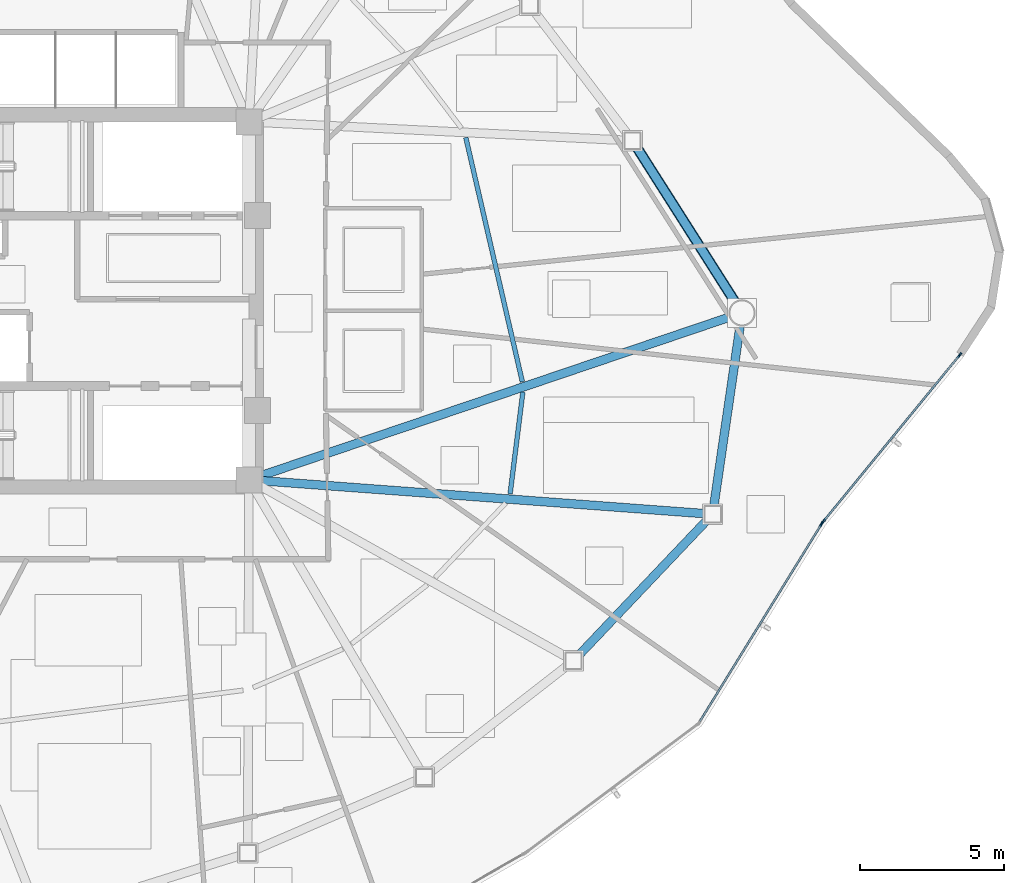
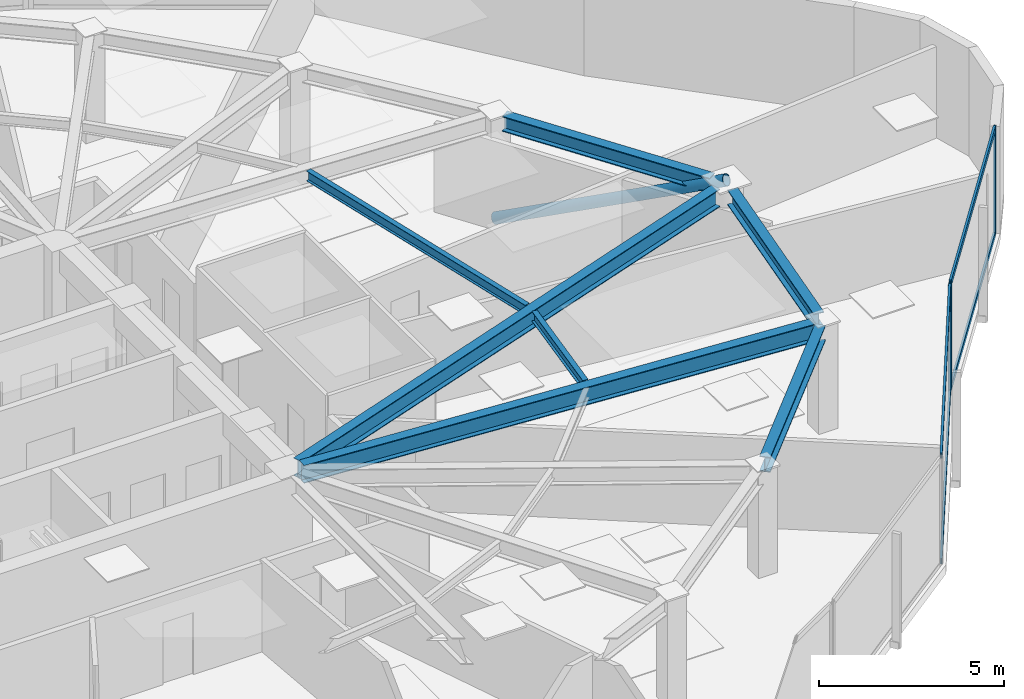
# One storey, part 6 of 18: 8 members, 7 beams, 2 elements without a shape of their own.
"""IFC4 building model written with IfcOpenShell, lengths in metres."""

import ifcopenshell
import ifcopenshell.guid

model = None  # the IFC model being written
_history = None  # IfcOwnerHistory: only IFC2X3 demands one
_inside = {}  # id of a spatial element -> (the spatial element, [elements in it])
_under = {}  # id of a project, library or spatial element -> (it, [spatial elements below it])
_declared = {}  # id of a project -> (the project, [libraries it declares])
_typed = {}  # id of a type object -> (the type object, [elements of that type])
_made_of = {}  # id of a material, layer set ... -> (it, [elements and type objects made of it])


def new_model(schema):
    """Start an empty IFC model of exactly this schema.

    Asked for "IFC4X3", IfcOpenShell would pick the latest addendum, in which some entities
    have other attributes; the version numbers below select the first issue.
    IFC2X3 requires an IfcOwnerHistory on every rooted entity: one is made here for all.
    """
    global model, _history
    if schema == "IFC4X3":
        model = ifcopenshell.file(schema_version=(4, 3, 0, 0))
    else:
        model = ifcopenshell.file(schema=schema)
    _inside.clear()
    _under.clear()
    _declared.clear()
    _typed.clear()
    _made_of.clear()
    _history = None
    if model.schema == "IFC2X3":
        org = make("IfcOrganization", Name="unknown")
        user = make(
            "IfcPersonAndOrganization",
            ThePerson=make("IfcPerson", FamilyName="unknown"),
            TheOrganization=org,
        )
        app = make(
            "IfcApplication",
            ApplicationDeveloper=org,
            Version="unknown",
            ApplicationFullName="unknown",
            ApplicationIdentifier="unknown",
        )
        _history = make(
            "IfcOwnerHistory",
            OwningUser=user,
            OwningApplication=app,
            ChangeAction="ADDED",
            CreationDate=0,
        )
    return model


def make(cls, **values):
    """One entity of the class cls with the attributes given. An attribute that is None is left unset."""
    return model.create_entity(
        cls, **{name: value for name, value in values.items() if value is not None}
    )


def rooted(cls, **values):
    """An entity with a GlobalId (a new one), such as an element, a storey or a relation."""
    return make(cls, GlobalId=ifcopenshell.guid.new(), OwnerHistory=_history, **values)


def si_unit(unit_type, name, prefix=None):
    """IfcSIUnit, for example si_unit("LENGTHUNIT", "METRE", prefix="MILLI")."""
    return make("IfcSIUnit", UnitType=unit_type, Prefix=prefix, Name=name)


def assignment(units):
    """IfcUnitAssignment: the units of a project."""
    return None if units is None else make("IfcUnitAssignment", Units=units)


def point(xyz):
    """IfcCartesianPoint."""
    return None if xyz is None else make("IfcCartesianPoint", Coordinates=xyz)


def direction(xyz):
    """IfcDirection."""
    return None if xyz is None else make("IfcDirection", DirectionRatios=xyz)


def frame(location, z_axis=None, x_axis=None):
    """IfcAxis2Placement3D, a coordinate frame: its origin and axes. An axis left out is left unset."""
    return make(
        "IfcAxis2Placement3D",
        Location=point(location),
        Axis=direction(z_axis),
        RefDirection=direction(x_axis),
    )


def frame_2d(location, x_axis=None):
    """IfcAxis2Placement2D, a coordinate frame in the plane: its origin and x axis."""
    return make(
        "IfcAxis2Placement2D", Location=point(location), RefDirection=direction(x_axis)
    )


def origin():
    """The frame at (0, 0, 0) with its axes left unset."""
    return frame((0.0, 0.0, 0.0))


def origin_2d():
    """The frame at (0, 0) in the plane with its x axis left unset."""
    return frame_2d((0.0, 0.0))


def place(relative_to, where):
    """IfcLocalPlacement: puts the frame where relative to a parent placement (None: the world)."""
    return make(
        "IfcLocalPlacement", PlacementRelTo=relative_to, RelativePlacement=where
    )


def context(
    kind, dimensions, precision=None, world=None, true_north=None, identifier=None
):
    """IfcGeometricRepresentationContext, for example the 3D "Model" context."""
    return make(
        "IfcGeometricRepresentationContext",
        ContextIdentifier=identifier,
        ContextType=kind,
        CoordinateSpaceDimension=dimensions,
        Precision=precision,
        WorldCoordinateSystem=world,
        TrueNorth=true_north,
    )


def subcontext(parent, identifier, kind, view, scale=None):
    """IfcGeometricRepresentationSubContext, for example "Body" below "Model"."""
    return make(
        "IfcGeometricRepresentationSubContext",
        ContextIdentifier=identifier,
        ContextType=kind,
        ParentContext=parent,
        TargetScale=scale,
        TargetView=view,
    )


def project(units=None, contexts=None):
    """IfcProject with its units and contexts."""
    return rooted(
        "IfcProject",
        Name="project",
        RepresentationContexts=contexts,
        UnitsInContext=assignment(units),
    )


def spatial(cls, under=None, at=None, **own):
    """A site, building, storey or space (cls), placed at a placement, below another one or the project."""
    s = rooted(cls, ObjectPlacement=at, **own)
    if under is not None:
        _under.setdefault(under.id(), (under, []))[1].append(s)
    return s


def profile(cls, at=None, kind="AREA", **sizes):
    """A parametric profile (cls). Its sizes go by their IFC names, for example OverallWidth=200.0."""
    return make(cls, ProfileType=kind, Position=at, **sizes)


def hollow_rectangle(**sizes):
    """IfcRectangleHollowProfileDef."""
    return profile("IfcRectangleHollowProfileDef", **sizes)


def hollow_circle(**sizes):
    """IfcCircleHollowProfileDef."""
    return profile("IfcCircleHollowProfileDef", **sizes)


def i_section(**sizes):
    """IfcIShapeProfileDef."""
    return profile("IfcIShapeProfileDef", **sizes)


def extrude(swept, where, along, depth):
    """IfcExtrudedAreaSolid: the profile swept, set in the frame where, extruded along a direction by depth."""
    return make(
        "IfcExtrudedAreaSolid",
        SweptArea=swept,
        Position=where,
        ExtrudedDirection=direction(along),
        Depth=depth,
    )


def shape(context_of_items, identifier, shape_type, items):
    """IfcShapeRepresentation: the items that make up one representation, for example the "Body"."""
    return make(
        "IfcShapeRepresentation",
        ContextOfItems=context_of_items,
        RepresentationIdentifier=identifier,
        RepresentationType=shape_type,
        Items=items,
    )


def source(mapping_origin, context_of_items, identifier, shape_type, items):
    """IfcRepresentationMap: a shape defined once, which mapped items show again and again."""
    return make(
        "IfcRepresentationMap",
        MappingOrigin=mapping_origin,
        MappedRepresentation=shape(context_of_items, identifier, shape_type, items),
    )


def transform(
    local_origin,
    x_axis=None,
    y_axis=None,
    z_axis=None,
    scale=None,
    scale2=None,
    scale3=None,
    uniform=True,
):
    """IfcCartesianTransformationOperator3D, or its non-uniform kind. x_axis, y_axis, z_axis: its Axis1, 2, 3."""
    if uniform:
        return make(
            "IfcCartesianTransformationOperator3D",
            Axis1=direction(x_axis),
            Axis2=direction(y_axis),
            LocalOrigin=point(local_origin),
            Scale=scale,
            Axis3=direction(z_axis),
        )
    return make(
        "IfcCartesianTransformationOperator3DnonUniform",
        Axis1=direction(x_axis),
        Axis2=direction(y_axis),
        LocalOrigin=point(local_origin),
        Scale=scale,
        Axis3=direction(z_axis),
        Scale2=scale2,
        Scale3=scale3,
    )


def mapped(mapping_source, mapping_target):
    """IfcMappedItem: shows the shape of a source again, moved by a transform."""
    return make(
        "IfcMappedItem", MappingSource=mapping_source, MappingTarget=mapping_target
    )


def material(Name=None, Category=None):
    """IfcMaterial."""
    return make("IfcMaterial", Name=Name, Category=Category)


def layer(
    of_material, thickness, ventilated=None, Name=None, Category=None, Priority=None
):
    """IfcMaterialLayer: one layer of a wall or slab, of a material (None: an air gap)."""
    return make(
        "IfcMaterialLayer",
        Material=of_material,
        LayerThickness=thickness,
        IsVentilated=ventilated,
        Name=Name,
        Category=Category,
        Priority=Priority,
    )


def layer_set(layers, Name=None):
    """IfcMaterialLayerSet."""
    return make("IfcMaterialLayerSet", MaterialLayers=layers, LayerSetName=Name)


def material_profile(
    of_material, cross_section, Name=None, Category=None, Priority=None
):
    """IfcMaterialProfile: a cross section and its material."""
    return make(
        "IfcMaterialProfile",
        Name=Name,
        Material=of_material,
        Profile=cross_section,
        Priority=Priority,
        Category=Category,
    )


def profile_set(profiles, Name=None, composite=None):
    """IfcMaterialProfileSet."""
    return make(
        "IfcMaterialProfileSet",
        Name=Name,
        MaterialProfiles=profiles,
        CompositeProfile=composite,
    )


def made_of(thing, what):
    """Note that an element or type object is made of a material, layer set ...; save() writes the relation."""
    if what is not None:
        _made_of.setdefault(what.id(), (what, []))[1].append(thing)
    return thing


def type_object(cls, material=None, **own):
    """A type object (cls), such as IfcWallType, which elements share."""
    return made_of(rooted(cls, **own), material)


def type_shapes(of_type, sources):
    """Give a type object the sources (RepresentationMaps) that its elements show as mapped items."""
    of_type.RepresentationMaps = sources


def element(
    cls,
    number,
    at=None,
    inside=None,
    cuts=None,
    type_object=None,
    material=None,
    context=None,
    identifier="Body",
    shape_type=None,
    held_by="IfcProductDefinitionShape",
    body=None,
    shapes=None,
    **own,
):
    """One element of the class cls, such as IfcWall. Its Tag is "e" and its number.

    at: its placement. inside: the storey or other place that contains it. cuts: it is an
    opening in that element (IfcRelVoidsElement). A single representation is given by context,
    identifier, shape_type and body (its items); several are given by shapes. held_by: the class
    of the entity that holds the representations. save() writes the other relations.
    """
    e = rooted(cls, Tag="e%d" % number, ObjectPlacement=at, **own)
    if body is not None:
        shapes = [shape(context, identifier, shape_type, body)]
    if shapes is not None:
        e.Representation = make(held_by, Representations=shapes)
    if inside is not None:
        _inside.setdefault(inside.id(), (inside, []))[1].append(e)
    if cuts is not None:
        rooted(
            "IfcRelVoidsElement", RelatingBuildingElement=cuts, RelatedOpeningElement=e
        )
    if type_object is not None:
        _typed.setdefault(type_object.id(), (type_object, []))[1].append(e)
    return made_of(e, material)


def aggregate(whole, parts):
    """IfcRelAggregates: a whole, such as a stair, and the parts it consists of."""
    return rooted("IfcRelAggregates", RelatingObject=whole, RelatedObjects=parts)


def save(model, path):
    """Write the relations noted so far, then the file.

    IfcRelAggregates (storeys below a building ...), IfcRelContainedInSpatialStructure (elements
    in a storey), IfcRelDefinesByType, IfcRelAssociatesMaterial and IfcRelDeclares: one each for
    every whole, place, type object, material and project.
    """
    for whole, parts in _under.values():
        aggregate(whole, parts)
    for where, things in _inside.values():
        rooted(
            "IfcRelContainedInSpatialStructure",
            RelatedElements=things,
            RelatingStructure=where,
        )
    for kind, things in _typed.values():
        rooted("IfcRelDefinesByType", RelatedObjects=things, RelatingType=kind)
    for what, things in _made_of.values():
        rooted("IfcRelAssociatesMaterial", RelatedObjects=things, RelatingMaterial=what)
    for by, libraries in _declared.values():
        rooted("IfcRelDeclares", RelatingContext=by, RelatedDefinitions=libraries)
    model.write(path)


model = new_model("IFC4")

# Units and contexts
model_context = context("Model", 3, precision=1e-05, world=origin(), true_north=direction((0.0, 1.0)))
body_context = subcontext(model_context, "Body", "Model", "MODEL_VIEW")
ifc_project = project(units=[si_unit("LENGTHUNIT", "METRE"), si_unit("AREAUNIT", "SQUARE_METRE"), si_unit("VOLUMEUNIT", "CUBIC_METRE"), si_unit("PLANEANGLEUNIT", "RADIAN"), si_unit("MASSUNIT", "GRAM", prefix="KILO")], contexts=[model_context])

# Site, building, storey
site_placement = place(None, origin())
site = spatial("IfcSite", under=ifc_project, at=site_placement, CompositionType="ELEMENT")
building_placement = place(site_placement, origin())
building = spatial("IfcBuilding", under=site, at=building_placement, Name="Tavelor Broadcast Tower", CompositionType="ELEMENT")
storey_placement = place(building_placement, frame((0.0, 0.0, 173.35009765625)))
storey = spatial("IfcBuildingStorey", under=building, at=storey_placement, Name="L41", CompositionType="ELEMENT", Elevation=173.35009765625)

# Beams
ifc_material_1 = material(Name="Steel S355", Category="steel")
ifc_material_profile_1 = material_profile(ifc_material_1, i_section(OverallWidth=0.159912109375, OverallDepth=0.330078125, WebThickness=0.007568359375, FlangeThickness=0.011474609375, at=origin_2d()), Name="IPE 330")
ifc_profile_set_1 = profile_set([ifc_material_profile_1], Name="Steel S355")
beam_type_1 = type_object("IfcBeamType", Name="Composite Floor Joist T4 IPE 330", PredefinedType="JOIST", material=ifc_profile_set_1)
beam_1_placement = place(storey_placement, frame((65.64453125, 38.3095703125, 3.385009765625), z_axis=(0.124499310057, 0.992219694319, 0.0), x_axis=(-0.992219694319, 0.124499310057, 0.0)))
element("IfcBeam", 1, at=beam_1_placement, inside=storey, type_object=beam_type_1, Name="L41 Secondary Composite Floor Joist 12", PredefinedType="JOIST", context=body_context, shape_type="SweptSolid", body=[
    extrude(i_section(OverallWidth=0.159912109375, OverallDepth=0.330078125, WebThickness=0.007568359375, FlangeThickness=0.011474609375, at=origin_2d()), origin(), (0.0, 0.0, 1.0), 3.55712890625),
])
beam_2_placement = place(storey_placement, frame((66.069091796875, 42.195068359375, 3.385009765625), z_axis=(-0.225617102792, 0.974216055569, 0.0), x_axis=(-0.974216055569, -0.225617102792, 0.0)))
element("IfcBeam", 2, at=beam_2_placement, inside=storey, type_object=beam_type_1, Name="L41 Secondary Composite Floor Joist 13", PredefinedType="JOIST", context=body_context, shape_type="SweptSolid", body=[
    extrude(i_section(OverallWidth=0.159912109375, OverallDepth=0.330078125, WebThickness=0.007568359375, FlangeThickness=0.011474609375, at=origin_2d()), origin(), (0.0, 0.0, 1.0), 8.683837890625),
])
ifc_material_profile_2 = material_profile(ifc_material_1, i_section(OverallWidth=0.300048828125, OverallDepth=0.5, WebThickness=0.014404296875, FlangeThickness=0.028076171875, at=origin_2d()), Name="HEB 500")
ifc_profile_set_2 = profile_set([ifc_material_profile_2], Name="Steel S355")
beam_type_2 = type_object("IfcBeamType", Name="Perimeter Spandrel Beam T4 HEB 500", PredefinedType="SPANDREL", material=ifc_profile_set_2)
beam_3_placement = place(storey_placement, frame((68.04052734375, 32.74072265625, 3.2998046875), z_axis=(0.688387662899, 0.725342970993, 0.0), x_axis=(-0.725342970993, 0.688387662899, 0.0)))
element("IfcBeam", 3, at=beam_3_placement, inside=storey, type_object=beam_type_2, Name="L41 Framed-Tube Ring Spandrel 11", PredefinedType="SPANDREL", context=body_context, shape_type="SweptSolid", body=[
    extrude(i_section(OverallWidth=0.300048828125, OverallDepth=0.5, WebThickness=0.014404296875, FlangeThickness=0.028076171875, at=origin_2d()), origin(), (0.0, 0.0, 1.0), 6.42138671875),
])
beam_4_placement = place(storey_placement, frame((72.700927734375, 37.892333984375, 3.2998046875), z_axis=(0.144298223799, 0.989534245293, 0.0), x_axis=(-0.989534245293, 0.144298223799, 0.0)))
element("IfcBeam", 4, at=beam_4_placement, inside=storey, type_object=beam_type_2, Name="L41 Framed-Tube Ring Spandrel 12", PredefinedType="SPANDREL", context=body_context, shape_type="SweptSolid", body=[
    extrude(i_section(OverallWidth=0.300048828125, OverallDepth=0.5, WebThickness=0.014404296875, FlangeThickness=0.028076171875, at=origin_2d()), origin(), (0.0, 0.0, 1.0), 6.3193359375),
])
beam_5_placement = place(storey_placement, frame((73.440673828125, 44.94970703125, 3.2998046875), z_axis=(-0.536287336864, 0.844035480486, 0.0), x_axis=(-0.844035480486, -0.536287336864, 0.0)))
element("IfcBeam", 5, at=beam_5_placement, inside=storey, type_object=beam_type_2, Name="L41 Framed-Tube Ring Spandrel 13", PredefinedType="SPANDREL", context=body_context, shape_type="SweptSolid", body=[
    extrude(i_section(OverallWidth=0.300048828125, OverallDepth=0.5, WebThickness=0.014404296875, FlangeThickness=0.028076171875, at=origin_2d()), origin(), (0.0, 0.0, 1.0), 6.340087890625),
])

# Member
ifc_material_profile_3 = material_profile(ifc_material_1, hollow_circle(Radius=0.177734375, WallThickness=0.01611328125, at=origin_2d()), Name="CHS 355.6x16")
ifc_profile_set_3 = profile_set([ifc_material_profile_3], Name="Steel S355")
member_type_1 = type_object("IfcMemberType", Name="Perimeter Tube Brace T4 CHS 355.6x16", PredefinedType="BRACE", material=ifc_profile_set_3)
member_1_placement = place(storey_placement, frame((69.885986328125, 50.544189453125, 0.0), z_axis=(0.479245396229, -0.754215683798, 0.448868079179), x_axis=(0.844021198089, 0.536309814544, 0.0)))
element("IfcMember", 6, at=member_1_placement, inside=storey, type_object=member_type_1, Name="L41 Corner Tube Diagonal Brace 3", PredefinedType="BRACE", context=body_context, shape_type="SweptSolid", body=[
    extrude(hollow_circle(Radius=0.177734375, WallThickness=0.01611328125, at=origin_2d()), origin(), (0.0, 0.0, 1.0), 7.908447265625),
])

# Beams
ifc_material_profile_4 = material_profile(ifc_material_1, i_section(OverallWidth=0.300048828125, OverallDepth=0.590087890625, WebThickness=0.012939453125, FlangeThickness=0.02490234375, at=origin_2d()), Name="HEA 600")
ifc_profile_set_4 = profile_set([ifc_material_profile_4], Name="Steel S355")
beam_type_3 = type_object("IfcBeamType", Name="Radial Floor Girder T4 HEA 600", PredefinedType="BEAM", material=ifc_profile_set_4)
beam_6_placement = place(storey_placement, frame((57.03076171875, 38.76806640625, 3.2548828125), z_axis=(0.997253315852, -0.074066348787, 0.0), x_axis=(0.074066348787, 0.997253315852, 0.0)))
element("IfcBeam", 7, at=beam_6_placement, inside=storey, type_object=beam_type_3, Name="L41 Radial Primary Floor Girder 12", PredefinedType="BEAM", context=body_context, shape_type="SweptSolid", body=[
    extrude(i_section(OverallWidth=0.300048828125, OverallDepth=0.590087890625, WebThickness=0.012939453125, FlangeThickness=0.02490234375, at=origin_2d()), origin(), (0.0, 0.0, 1.0), 15.383544921875),
])
beam_7_placement = place(storey_placement, frame((57.00927734375, 38.9384765625, 3.2548828125), z_axis=(0.947214639948, 0.320600102727, 0.0), x_axis=(-0.320600102727, 0.947214639948, 0.0)))
element("IfcBeam", 8, at=beam_7_placement, inside=storey, type_object=beam_type_3, Name="L41 Radial Primary Floor Girder 13", PredefinedType="BEAM", context=body_context, shape_type="SweptSolid", body=[
    extrude(i_section(OverallWidth=0.300048828125, OverallDepth=0.590087890625, WebThickness=0.012939453125, FlangeThickness=0.02490234375, at=origin_2d()), origin(), (0.0, 0.0, 1.0), 17.15673828125),
])

# Curtain wall, member
ifc_material_2 = material(Name="Architectural Anodized Aluminium", Category="aluminium")
ifc_layer = layer(ifc_material_2, 0.18994140625)
ifc_layer_set = layer_set([ifc_layer], Name="Architectural Anodized Aluminium")
curtain_wall_type = type_object("IfcCurtainWallType", Name="Tower Mid-Zone Acoustic Curtain Wall CW03", PredefinedType="NOTDEFINED", material=ifc_layer_set)
curtain_wall_1_placement = place(storey_placement, origin())
curtain_wall_1 = element("IfcCurtainWall", 9, at=curtain_wall_1_placement, inside=storey, type_object=curtain_wall_type, Name="L41 Curtain Wall CW03 Run 439", PredefinedType="NOTDEFINED")
ifc_material_profile_5 = material_profile(ifc_material_2, hollow_rectangle(XDim=0.068115234375, YDim=0.18994140625, WallThickness=0.02197265625, at=origin_2d()), Name="RHS 68x190x22")
ifc_profile_set_5 = profile_set([ifc_material_profile_5], Name="Architectural Anodized Aluminium")
member_type_2 = type_object("IfcMemberType", Name="CW03 Extruded Aluminium Mullion 68x190", PredefinedType="MULLION", material=ifc_profile_set_5)
shared_shape_1 = source(origin(), body_context, "Body", "SweptSolid", [
    extrude(hollow_rectangle(XDim=0.068115234375, YDim=0.18994140625, WallThickness=0.02197265625, at=origin_2d()), origin(), (0.0, 0.0, 1.0), 3.5498046875),
])
type_shapes(member_type_2, [shared_shape_1])
member_2_placement = place(storey_placement, frame((76.4345703125, 37.2734375, 0.0), z_axis=(0.0, 0.0, 1.0), x_axis=(-0.851219554803, 0.524809746023, 0.0)))
member_2 = element("IfcMember", 10, at=member_2_placement, type_object=member_type_2, Name="CW03 mullion 2", PredefinedType="MULLION", context=body_context, shape_type="MappedRepresentation", body=[
    mapped(shared_shape_1, transform((0.0, 0.0, 0.0), scale=1.0)),
])

# Curtain wall, members
curtain_wall_2_placement = place(storey_placement, origin())
curtain_wall_2 = element("IfcCurtainWall", 11, at=curtain_wall_2_placement, inside=storey, type_object=curtain_wall_type, Name="L41 Curtain Wall CW03 Run 440", PredefinedType="NOTDEFINED")
member_3_placement = place(storey_placement, frame((76.491455078125, 37.35302734375, 0.0), z_axis=(0.0, 0.0, 1.0), x_axis=(-0.773578233794, 0.633700809689, 0.0)))
member_3 = element("IfcMember", 12, at=member_3_placement, type_object=member_type_2, Name="CW03 mullion 1", PredefinedType="MULLION", context=body_context, shape_type="MappedRepresentation", body=[
    mapped(shared_shape_1, transform((0.0, 0.0, 0.0), scale=1.0)),
])
member_4_placement = place(storey_placement, frame((81.217041015625, 43.12158203125, 0.0), z_axis=(0.0, 0.0, 1.0), x_axis=(-0.773578233794, 0.633700809689, 0.0)))
member_4 = element("IfcMember", 13, at=member_4_placement, type_object=member_type_2, Name="CW03 mullion 2", PredefinedType="MULLION", context=body_context, shape_type="MappedRepresentation", body=[
    mapped(shared_shape_1, transform((0.0, 0.0, 0.0), scale=1.0)),
])
ifc_material_profile_6 = material_profile(ifc_material_2, hollow_rectangle(XDim=0.068115234375, YDim=0.18994140625, WallThickness=0.02197265625, at=origin_2d()), Name="RHS 68x190x22")
ifc_profile_set_6 = profile_set([ifc_material_profile_6], Name="Architectural Anodized Aluminium")
member_type_3 = type_object("IfcMemberType", Name="CW03 Extruded Aluminium Transom 68x190", PredefinedType="USERDEFINED", material=ifc_profile_set_6)
shared_shape_2 = source(origin(), body_context, "Body", "SweptSolid", [
    extrude(hollow_rectangle(XDim=0.068115234375, YDim=0.18994140625, WallThickness=0.02197265625, at=origin_2d()), origin(), (0.0, 0.0, 1.0), 7.38916015625),
])
member_5_placement = place(storey_placement, frame((76.512939453125, 37.37939453125, 0.033935546875), z_axis=(0.633710866324, 0.773569995477, 0.0), x_axis=(-0.773569995477, 0.633710866324, 0.0)))
member_5 = element("IfcMember", 14, at=member_5_placement, type_object=member_type_3, Name="CW03 transom 1.1", ObjectType="TRANSOM", PredefinedType="USERDEFINED", context=body_context, shape_type="MappedRepresentation", body=[
    mapped(shared_shape_2, transform((0.0, 0.0, 0.0), scale=1.0)),
])
member_6_placement = place(storey_placement, frame((76.512939453125, 37.37939453125, 3.515869140625), z_axis=(0.633710866324, 0.773569995477, 0.0), x_axis=(-0.773569995477, 0.633710866324, 0.0)))
member_6 = element("IfcMember", 15, at=member_6_placement, type_object=member_type_3, Name="CW03 transom 1.2", ObjectType="TRANSOM", PredefinedType="USERDEFINED", context=body_context, shape_type="MappedRepresentation", body=[
    mapped(shared_shape_2, transform((0.0, 0.0, 0.0), scale=1.0)),
])
aggregate(curtain_wall_2, [member_3, member_4, member_5, member_6])

# Member
shared_shape_3 = source(origin(), body_context, "Body", "SweptSolid", [
    extrude(hollow_rectangle(XDim=0.068115234375, YDim=0.18994140625, WallThickness=0.02197265625, at=origin_2d()), origin(), (0.0, 0.0, 1.0), 8.0),
])
type_shapes(member_type_3, [shared_shape_2, shared_shape_3])
member_7_placement = place(storey_placement, frame((72.21826171875, 30.4345703125, 0.033935546875), z_axis=(0.524807263612, 0.851221085301, 0.0), x_axis=(-0.851221085301, 0.524807263612, 0.0)))
member_7 = element("IfcMember", 16, at=member_7_placement, type_object=member_type_3, Name="CW03 transom 1.1", ObjectType="TRANSOM", PredefinedType="USERDEFINED", context=body_context, shape_type="MappedRepresentation", body=[
    mapped(shared_shape_3, transform((0.0, 0.0, 0.0), scale=1.0)),
])

member_8_placement = place(storey_placement, frame((72.21826171875, 30.4345703125, 3.515869140625), z_axis=(0.524807263612, 0.851221085301, 0.0), x_axis=(-0.851221085301, 0.524807263612, 0.0)))
member_8 = element("IfcMember", 17, at=member_8_placement, type_object=member_type_3, Name="CW03 transom 1.2", ObjectType="TRANSOM", PredefinedType="USERDEFINED", context=body_context, shape_type="MappedRepresentation", body=[
    mapped(shared_shape_3, transform((0.0, 0.0, 0.0), scale=1.0)),
])

aggregate(curtain_wall_1, [member_2, member_7, member_8])

save(model, "model.ifc")
